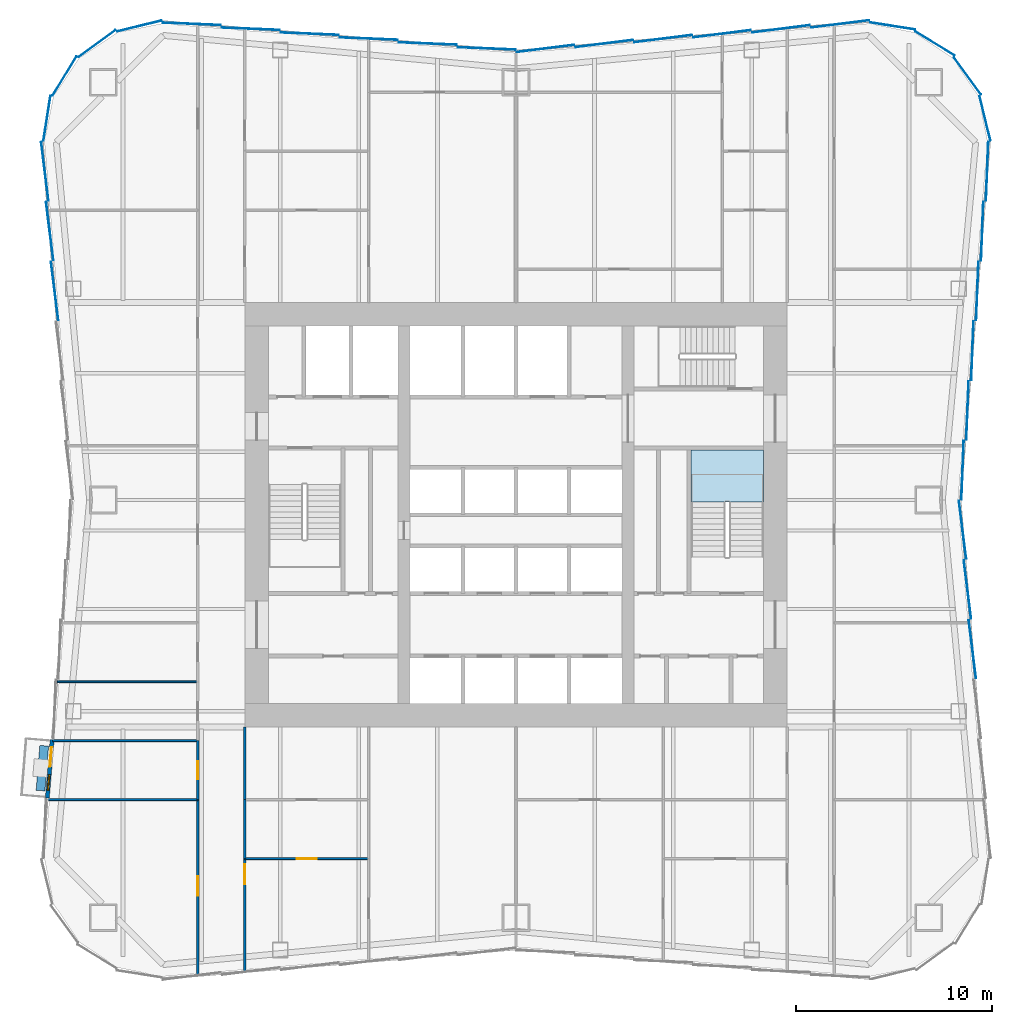
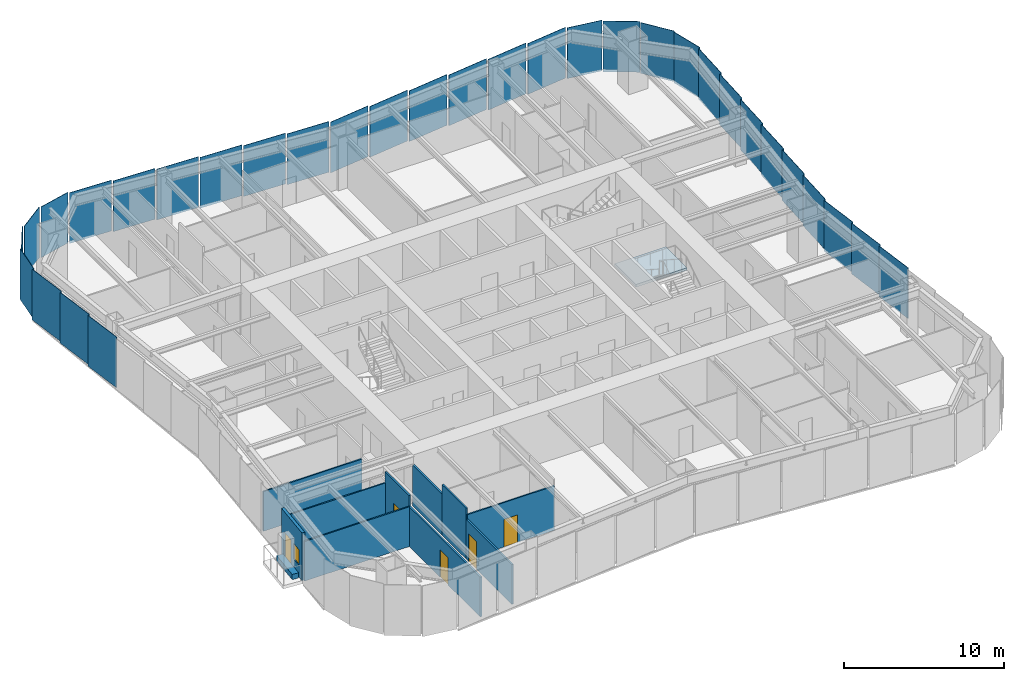
# One storey, part 3 of 9: 32 plates, 11 walls, 5 doors, 1 slab, 1 window, 6 openings, 6 elements without a shape of their own.
"""IFC4 building model written with IfcOpenShell, lengths in metres."""

from ifc_helpers import new_model, si_unit, direction, frame, frame_2d, origin, origin_2d, place, context, subcontext, project, spatial, polyline, rectangle, outline, extrude, material, layer, layer_set, type_object, element, fill, aggregate, save


model = new_model("IFC4")

# Units and contexts
model_context = context("Model", 3, precision=1e-05, world=origin(), true_north=direction((0.0, 1.0)))
body_context = subcontext(model_context, "Body", "Model", "MODEL_VIEW")
ifc_project = project(units=[si_unit("LENGTHUNIT", "METRE"), si_unit("AREAUNIT", "SQUARE_METRE"), si_unit("VOLUMEUNIT", "CUBIC_METRE"), si_unit("PLANEANGLEUNIT", "RADIAN"), si_unit("MASSUNIT", "GRAM", prefix="KILO")], contexts=[model_context])

# Site, building, storey
site_placement = place(None, origin())
site = spatial("IfcSite", under=ifc_project, at=site_placement, CompositionType="ELEMENT")
building_placement = place(site_placement, origin())
building = spatial("IfcBuilding", under=site, at=building_placement, Name="Verdant Reach Tower", CompositionType="ELEMENT")
storey_placement = place(building_placement, frame((0.0, 0.0, 102.0)))
storey = spatial("IfcBuildingStorey", under=building, at=storey_placement, Name="L23", CompositionType="ELEMENT", Elevation=102.0)

# Stair, slab
ifc_material_1 = material(Name="Concrete C40/50", Category="concrete")
stair_type = type_object("IfcStairType", Name="CO-STAIR", PredefinedType="HALF_TURN_STAIR", material=ifc_material_1)
stair_placement = place(storey_placement, origin())
stair = element("IfcStair", 1, at=stair_placement, inside=storey, type_object=stair_type, Name="L23 Exit stair 2", PredefinedType="HALF_TURN_STAIR")
ifc_layer_1 = layer(ifc_material_1, 0.199951171875)
ifc_layer_set_1 = layer_set([ifc_layer_1], Name="CO-STAIR-LANDING")
slab_type = type_object("IfcSlabType", Name="CO-STAIR-LANDING", PredefinedType="LANDING", material=ifc_layer_set_1)
slab_placement = place(storey_placement, frame((0.0, 0.0, 1.800048828125)))
slab = element("IfcSlab", 2, at=slab_placement, type_object=slab_type, Name="ST-2 landing 1", PredefinedType="LANDING", context=body_context, shape_type="SweptSolid", body=[
    extrude(outline(polyline([(12.60009765625, 28.64990234375), (12.60009765625, 31.300048828125), (8.89990234375, 31.300048828125), (8.89990234375, 28.64990234375), (12.60009765625, 28.64990234375)])), origin(), (0.0, 0.0, 1.0), 0.199951171875),
])
aggregate(stair, [slab])

# Curtain wall, plates
ifc_material_2 = material(Name="Anodised aluminium", Category="aluminium")
curtain_wall_type = type_object("IfcCurtainWallType", Name="EN-CW SYSTEM Z1", PredefinedType="NOTDEFINED", material=ifc_material_2)
curtain_wall_1_placement = place(storey_placement, origin())
curtain_wall_1 = element("IfcCurtainWall", 3, at=curtain_wall_1_placement, inside=storey, type_object=curtain_wall_type, Name="Curtain wall east, L23", PredefinedType="NOTDEFINED")
ifc_material_3 = material(Name="Tinted glass with champagne spandrel", Category="glass")
ifc_layer_2 = layer(ifc_material_3, 0.031982421875)
ifc_layer_set_2 = layer_set([ifc_layer_2], Name="EN-PANEL CHAMPAGNE")
plate_type_1 = type_object("IfcPlateType", Name="EN-PANEL CHAMPAGNE", PredefinedType="CURTAIN_PANEL", material=ifc_layer_set_2)
plate_1_placement = place(storey_placement, frame((23.2275390625, 21.154296875, -0.22802734375), z_axis=(0.0, 0.0, 1.0), x_axis=(-0.123578623975, 0.992334784081, 0.0)))
plate_1 = element("IfcPlate", 4, at=plate_1_placement, type_object=plate_type_1, Name="Glass panel east face part 1 4.1, L23", PredefinedType="CURTAIN_PANEL", context=body_context, shape_type="SweptSolid", body=[
    extrude(rectangle(XDim=2.993896484375, YDim=0.031982421875, at=origin_2d()), origin(), (0.0, 0.0, 1.0), 3.8779296875),
])
plate_2_placement = place(storey_placement, frame((22.9775390625, 24.196044921875, -0.22802734375), z_axis=(0.0, 0.0, 1.0), x_axis=(-0.123578623975, 0.992334784081, 0.0)))
plate_2 = element("IfcPlate", 5, at=plate_2_placement, type_object=plate_type_1, Name="Glass panel east face part 1 5.1, L23", PredefinedType="CURTAIN_PANEL", context=body_context, shape_type="SweptSolid", body=[
    extrude(rectangle(XDim=2.993896484375, YDim=0.031982421875, at=origin_2d()), origin(), (0.0, 0.0, 1.0), 3.8779296875),
])
plate_3_placement = place(storey_placement, frame((23.7275390625, 42.428955078125, -0.22802734375), z_axis=(0.0, 0.0, 1.0), x_axis=(0.040108781752, 0.999195319057, 0.0)))
plate_3 = element("IfcPlate", 6, at=plate_3_placement, type_object=plate_type_1, Name="Glass panel east face part 2 5.1, L23", PredefinedType="CURTAIN_PANEL", context=body_context, shape_type="SweptSolid", body=[
    extrude(rectangle(XDim=2.993896484375, YDim=0.031982421875, at=origin_2d()), origin(), (0.0, 0.0, 1.0), 3.8779296875),
])
plate_4_placement = place(storey_placement, frame((23.977783203125, 45.477783203125, -0.22802734375), z_axis=(0.0, 0.0, 1.0), x_axis=(0.039784239139, 0.999208293759, 0.0)))
plate_4 = element("IfcPlate", 7, at=plate_4_placement, type_object=plate_type_1, Name="Glass panel east face part 2 6.1, L23", PredefinedType="CURTAIN_PANEL", context=body_context, shape_type="SweptSolid", body=[
    extrude(rectangle(XDim=3.00830078125, YDim=0.031982421875, at=origin_2d()), origin(), (0.0, 0.0, 1.0), 3.8779296875),
])

# Curtain wall, plate
curtain_wall_2_placement = place(storey_placement, origin())
curtain_wall_2 = element("IfcCurtainWall", 8, at=curtain_wall_2_placement, inside=storey, type_object=curtain_wall_type, Name="Curtain wall north-east corner, L23", PredefinedType="NOTDEFINED")
plate_5_placement = place(storey_placement, frame((19.170654296875, 52.87060546875, -0.22802734375), z_axis=(0.0, 0.0, 1.0), x_axis=(-0.988032704995, 0.154244526195, 0.0)))
plate_5 = element("IfcPlate", 9, at=plate_5_placement, type_object=plate_type_1, Name="Glass panel north-east corner 4.1, L23", PredefinedType="CURTAIN_PANEL", context=body_context, shape_type="SweptSolid", body=[
    extrude(rectangle(XDim=2.317626953125, YDim=0.031982421875, at=origin_2d()), origin(), (0.0, 0.0, 1.0), 3.8779296875),
])

# Curtain wall, plates
curtain_wall_3_placement = place(storey_placement, origin())
curtain_wall_3 = element("IfcCurtainWall", 10, at=curtain_wall_3_placement, inside=storey, type_object=curtain_wall_type, Name="Curtain wall north, L23", PredefinedType="NOTDEFINED")
plate_6_placement = place(storey_placement, frame((13.491455078125, 52.7275390625, -0.22802734375), z_axis=(0.0, 0.0, 1.0), x_axis=(-0.992194034542, -0.124703639961, 0.0)))
plate_6 = element("IfcPlate", 11, at=plate_6_placement, type_object=plate_type_1, Name="Glass panel north face part 1 2.1, L23", PredefinedType="CURTAIN_PANEL", context=body_context, shape_type="SweptSolid", body=[
    extrude(rectangle(XDim=2.952392578125, YDim=0.031982421875, at=origin_2d()), origin(), (0.0, 0.0, 1.0), 3.8779296875),
])
plate_7_placement = place(storey_placement, frame((10.491455078125, 52.4775390625, -0.22802734375), z_axis=(0.0, 0.0, 1.0), x_axis=(-0.992194034542, -0.124703639961, 0.0)))
plate_7 = element("IfcPlate", 12, at=plate_7_placement, type_object=plate_type_1, Name="Glass panel north face part 1 3.1, L23", PredefinedType="CURTAIN_PANEL", context=body_context, shape_type="SweptSolid", body=[
    extrude(rectangle(XDim=2.952392578125, YDim=0.031982421875, at=origin_2d()), origin(), (0.0, 0.0, 1.0), 3.8779296875),
])
plate_8_placement = place(storey_placement, frame((7.491455078125, 52.2275390625, -0.22802734375), z_axis=(0.0, 0.0, 1.0), x_axis=(-0.992194034542, -0.124703639961, 0.0)))
plate_8 = element("IfcPlate", 13, at=plate_8_placement, type_object=plate_type_1, Name="Glass panel north face part 1 4.1, L23", PredefinedType="CURTAIN_PANEL", context=body_context, shape_type="SweptSolid", body=[
    extrude(rectangle(XDim=2.952392578125, YDim=0.031982421875, at=origin_2d()), origin(), (0.0, 0.0, 1.0), 3.8779296875),
])
plate_9_placement = place(storey_placement, frame((-10.491455078125, 52.4775390625, -0.22802734375), z_axis=(0.0, 0.0, 1.0), x_axis=(-0.999149202059, 0.041241629766, 0.0)))
plate_9 = element("IfcPlate", 14, at=plate_9_placement, type_object=plate_type_1, Name="Glass panel north face part 2 4.1, L23", PredefinedType="CURTAIN_PANEL", context=body_context, shape_type="SweptSolid", body=[
    extrude(rectangle(XDim=2.952392578125, YDim=0.031982421875, at=origin_2d()), origin(), (0.0, 0.0, 1.0), 3.8779296875),
])
plate_10_placement = place(storey_placement, frame((-13.491455078125, 52.7275390625, -0.22802734375), z_axis=(0.0, 0.0, 1.0), x_axis=(-0.999149202059, 0.041241629766, 0.0)))
plate_10 = element("IfcPlate", 15, at=plate_10_placement, type_object=plate_type_1, Name="Glass panel north face part 2 5.1, L23", PredefinedType="CURTAIN_PANEL", context=body_context, shape_type="SweptSolid", body=[
    extrude(rectangle(XDim=2.952392578125, YDim=0.031982421875, at=origin_2d()), origin(), (0.0, 0.0, 1.0), 3.8779296875),
])

curtain_wall_4_placement = place(storey_placement, origin())
curtain_wall_4 = element("IfcCurtainWall", 16, at=curtain_wall_4_placement, inside=storey, type_object=curtain_wall_type, Name="Curtain wall north-west corner, L23", PredefinedType="NOTDEFINED")
plate_11_placement = place(storey_placement, frame((-21.325439453125, 51.97705078125, -0.22802734375), z_axis=(0.0, 0.0, 1.0), x_axis=(-0.807456753161, -0.589926768145, 0.0)))
plate_11 = element("IfcPlate", 17, at=plate_11_placement, type_object=plate_type_1, Name="Glass panel north-west corner 2.1, L23", PredefinedType="CURTAIN_PANEL", context=body_context, shape_type="SweptSolid", body=[
    extrude(rectangle(XDim=2.3232421875, YDim=0.031982421875, at=origin_2d()), origin(), (0.0, 0.0, 1.0), 3.8779296875),
])
plate_12_placement = place(storey_placement, frame((-22.97705078125, 50.325439453125, -0.22802734375), z_axis=(0.0, 0.0, 1.0), x_axis=(-0.520291572248, -0.85398868836, 0.0)))
plate_12 = element("IfcPlate", 18, at=plate_12_placement, type_object=plate_type_1, Name="Glass panel north-west corner 3.1, L23", PredefinedType="CURTAIN_PANEL", context=body_context, shape_type="SweptSolid", body=[
    extrude(rectangle(XDim=2.3232421875, YDim=0.031982421875, at=origin_2d()), origin(), (0.0, 0.0, 1.0), 3.8779296875),
])
plate_13_placement = place(storey_placement, frame((-23.87060546875, 48.170654296875, -0.22802734375), z_axis=(0.0, 0.0, 1.0), x_axis=(-0.154247912016, -0.988032176419, 0.0)))
plate_13 = element("IfcPlate", 19, at=plate_13_placement, type_object=plate_type_1, Name="Glass panel north-west corner 4.1, L23", PredefinedType="CURTAIN_PANEL", context=body_context, shape_type="SweptSolid", body=[
    extrude(rectangle(XDim=2.3173828125, YDim=0.031982421875, at=origin_2d()), origin(), (0.0, 0.0, 1.0), 3.8779296875),
])

curtain_wall_5_placement = place(storey_placement, origin())
curtain_wall_5 = element("IfcCurtainWall", 20, at=curtain_wall_5_placement, inside=storey, type_object=curtain_wall_type, Name="Curtain wall west, L23", PredefinedType="NOTDEFINED")
plate_14_placement = place(storey_placement, frame((-23.977783203125, 45.477783203125, -0.22802734375), z_axis=(0.0, 0.0, 1.0), x_axis=(0.123256305275, -0.992374870304, 0.0)))
plate_14 = element("IfcPlate", 21, at=plate_14_placement, type_object=plate_type_1, Name="Glass panel west face part 1 1.1, L23", PredefinedType="CURTAIN_PANEL", context=body_context, shape_type="SweptSolid", body=[
    extrude(rectangle(XDim=3.00830078125, YDim=0.031982421875, at=origin_2d()), origin(), (0.0, 0.0, 1.0), 3.8779296875),
])
plate_15_placement = place(storey_placement, frame((-23.7275390625, 42.428955078125, -0.22802734375), z_axis=(0.0, 0.0, 1.0), x_axis=(0.123578623975, -0.992334784081, 0.0)))
plate_15 = element("IfcPlate", 22, at=plate_15_placement, type_object=plate_type_1, Name="Glass panel west face part 1 2.1, L23", PredefinedType="CURTAIN_PANEL", context=body_context, shape_type="SweptSolid", body=[
    extrude(rectangle(XDim=2.993896484375, YDim=0.031982421875, at=origin_2d()), origin(), (0.0, 0.0, 1.0), 3.8779296875),
])

# Plate
ifc_material_4 = material(Name="Tinted glass with copper spandrel", Category="glass")
ifc_layer_3 = layer(ifc_material_4, 0.031982421875)
ifc_layer_set_3 = layer_set([ifc_layer_3], Name="EN-PANEL COPPER")
plate_type_2 = type_object("IfcPlateType", Name="EN-PANEL COPPER", PredefinedType="CURTAIN_PANEL", material=ifc_layer_set_3)
plate_16_placement = place(storey_placement, frame((22.727783203125, 27.2333984375, -0.22802734375), z_axis=(0.0, 0.0, 1.0), x_axis=(-0.123691487663, 0.992320722287, 0.0)))
plate_16 = element("IfcPlate", 23, at=plate_16_placement, type_object=plate_type_2, Name="Glass panel east face part 1 6.1, L23", PredefinedType="CURTAIN_PANEL", context=body_context, shape_type="SweptSolid", body=[
    extrude(rectangle(XDim=2.985595703125, YDim=0.031982421875, at=origin_2d()), origin(), (0.0, 0.0, 1.0), 3.8779296875),
])

plate_17_placement = place(storey_placement, frame((22.727783203125, 30.2666015625, -0.22802734375), z_axis=(0.0, 0.0, 1.0), x_axis=(0.040222426271, 0.99919075077, 0.0)))
plate_17 = element("IfcPlate", 24, at=plate_17_placement, type_object=plate_type_2, Name="Glass panel east face part 2 1.1, L23", PredefinedType="CURTAIN_PANEL", context=body_context, shape_type="SweptSolid", body=[
    extrude(rectangle(XDim=2.985595703125, YDim=0.031982421875, at=origin_2d()), origin(), (0.0, 0.0, 1.0), 3.8779296875),
])

plate_18_placement = place(storey_placement, frame((22.9775390625, 33.303955078125, -0.22802734375), z_axis=(0.0, 0.0, 1.0), x_axis=(0.040108781752, 0.999195319057, 0.0)))
plate_18 = element("IfcPlate", 25, at=plate_18_placement, type_object=plate_type_2, Name="Glass panel east face part 2 2.1, L23", PredefinedType="CURTAIN_PANEL", context=body_context, shape_type="SweptSolid", body=[
    extrude(rectangle(XDim=2.993896484375, YDim=0.031982421875, at=origin_2d()), origin(), (0.0, 0.0, 1.0), 3.8779296875),
])

plate_19_placement = place(storey_placement, frame((4.491455078125, 51.9775390625, -0.22802734375), z_axis=(0.0, 0.0, 1.0), x_axis=(-0.992194034542, -0.124703639961, 0.0)))
plate_19 = element("IfcPlate", 26, at=plate_19_placement, type_object=plate_type_2, Name="Glass panel north face part 1 5.1, L23", PredefinedType="CURTAIN_PANEL", context=body_context, shape_type="SweptSolid", body=[
    extrude(rectangle(XDim=2.952392578125, YDim=0.031982421875, at=origin_2d()), origin(), (0.0, 0.0, 1.0), 3.8779296875),
])

plate_20_placement = place(storey_placement, frame((1.49560546875, 51.727783203125, -0.22802734375), z_axis=(0.0, 0.0, 1.0), x_axis=(-0.992179247355, -0.124821236644, 0.0)))
plate_20 = element("IfcPlate", 27, at=plate_20_placement, type_object=plate_type_2, Name="Glass panel north face part 1 6.1, L23", PredefinedType="CURTAIN_PANEL", context=body_context, shape_type="SweptSolid", body=[
    extrude(rectangle(XDim=2.94384765625, YDim=0.031982421875, at=origin_2d()), origin(), (0.0, 0.0, 1.0), 3.8779296875),
])

plate_21_placement = place(storey_placement, frame((-16.49853515625, 52.977783203125, -0.22802734375), z_axis=(0.0, 0.0, 1.0), x_axis=(-0.999162836679, 0.040909971885, 0.0)))
plate_21 = element("IfcPlate", 28, at=plate_21_placement, type_object=plate_type_2, Name="Glass panel north face part 2 6.1, L23", PredefinedType="CURTAIN_PANEL", context=body_context, shape_type="SweptSolid", body=[
    extrude(rectangle(XDim=2.966796875, YDim=0.031982421875, at=origin_2d()), origin(), (0.0, 0.0, 1.0), 3.8779296875),
])

plate_22_placement = place(storey_placement, frame((-23.4775390625, 39.387451171875, -0.22802734375), z_axis=(0.0, 0.0, 1.0), x_axis=(0.123578623975, -0.992334784081, 0.0)))
plate_22 = element("IfcPlate", 29, at=plate_22_placement, type_object=plate_type_2, Name="Glass panel west face part 1 3.1, L23", PredefinedType="CURTAIN_PANEL", context=body_context, shape_type="SweptSolid", body=[
    extrude(rectangle(XDim=2.993896484375, YDim=0.031982421875, at=origin_2d()), origin(), (0.0, 0.0, 1.0), 3.8779296875),
])

aggregate(curtain_wall_5, [plate_14, plate_15, plate_22])

ifc_material_5 = material(Name="Tinted glass with dark bronze spandrel", Category="glass")
ifc_layer_4 = layer(ifc_material_5, 0.031982421875)
ifc_layer_set_4 = layer_set([ifc_layer_4], Name="EN-PANEL DARK")
plate_type_3 = type_object("IfcPlateType", Name="EN-PANEL DARK", PredefinedType="CURTAIN_PANEL", material=ifc_layer_set_4)
plate_23_placement = place(storey_placement, frame((23.2275390625, 36.345703125, -0.22802734375), z_axis=(0.0, 0.0, 1.0), x_axis=(0.040108781752, 0.999195319057, 0.0)))
plate_23 = element("IfcPlate", 30, at=plate_23_placement, type_object=plate_type_3, Name="Glass panel east face part 2 3.1, L23", PredefinedType="CURTAIN_PANEL", context=body_context, shape_type="SweptSolid", body=[
    extrude(rectangle(XDim=2.993896484375, YDim=0.031982421875, at=origin_2d()), origin(), (0.0, 0.0, 1.0), 3.8779296875),
])

plate_24_placement = place(storey_placement, frame((23.4775390625, 39.387451171875, -0.22802734375), z_axis=(0.0, 0.0, 1.0), x_axis=(0.040108781752, 0.999195319057, 0.0)))
plate_24 = element("IfcPlate", 31, at=plate_24_placement, type_object=plate_type_3, Name="Glass panel east face part 2 4.1, L23", PredefinedType="CURTAIN_PANEL", context=body_context, shape_type="SweptSolid", body=[
    extrude(rectangle(XDim=2.993896484375, YDim=0.031982421875, at=origin_2d()), origin(), (0.0, 0.0, 1.0), 3.8779296875),
])

aggregate(curtain_wall_1, [plate_1, plate_2, plate_16, plate_17, plate_18, plate_23, plate_24, plate_3, plate_4])

plate_25_placement = place(storey_placement, frame((23.87060546875, 48.170654296875, -0.22802734375), z_axis=(0.0, 0.0, 1.0), x_axis=(-0.236383344544, 0.971659875894, 0.0)))
plate_25 = element("IfcPlate", 32, at=plate_25_placement, type_object=plate_type_3, Name="Glass panel north-east corner 1.1, L23", PredefinedType="CURTAIN_PANEL", context=body_context, shape_type="SweptSolid", body=[
    extrude(rectangle(XDim=2.3173828125, YDim=0.031982421875, at=origin_2d()), origin(), (0.0, 0.0, 1.0), 3.8779296875),
])

plate_26_placement = place(storey_placement, frame((22.97705078125, 50.325439453125, -0.22802734375), z_axis=(0.0, 0.0, 1.0), x_axis=(-0.589926768145, 0.807456753161, 0.0)))
plate_26 = element("IfcPlate", 33, at=plate_26_placement, type_object=plate_type_3, Name="Glass panel north-east corner 2.1, L23", PredefinedType="CURTAIN_PANEL", context=body_context, shape_type="SweptSolid", body=[
    extrude(rectangle(XDim=2.3232421875, YDim=0.031982421875, at=origin_2d()), origin(), (0.0, 0.0, 1.0), 3.8779296875),
])

plate_27_placement = place(storey_placement, frame((21.325439453125, 51.97705078125, -0.22802734375), z_axis=(0.0, 0.0, 1.0), x_axis=(-0.85398868836, 0.520291572248, 0.0)))
plate_27 = element("IfcPlate", 34, at=plate_27_placement, type_object=plate_type_3, Name="Glass panel north-east corner 3.1, L23", PredefinedType="CURTAIN_PANEL", context=body_context, shape_type="SweptSolid", body=[
    extrude(rectangle(XDim=2.3232421875, YDim=0.031982421875, at=origin_2d()), origin(), (0.0, 0.0, 1.0), 3.8779296875),
])

aggregate(curtain_wall_2, [plate_25, plate_26, plate_27, plate_5])

plate_28_placement = place(storey_placement, frame((16.49853515625, 52.977783203125, -0.22802734375), z_axis=(0.0, 0.0, 1.0), x_axis=(-0.99223537376, -0.124374286167, 0.0)))
plate_28 = element("IfcPlate", 35, at=plate_28_placement, type_object=plate_type_3, Name="Glass panel north face part 1 1.1, L23", PredefinedType="CURTAIN_PANEL", context=body_context, shape_type="SweptSolid", body=[
    extrude(rectangle(XDim=2.966796875, YDim=0.031982421875, at=origin_2d()), origin(), (0.0, 0.0, 1.0), 3.8779296875),
])

plate_29_placement = place(storey_placement, frame((-1.49560546875, 51.727783203125, -0.22802734375), z_axis=(0.0, 0.0, 1.0), x_axis=(-0.99914430697, 0.041360051381, 0.0)))
plate_29 = element("IfcPlate", 36, at=plate_29_placement, type_object=plate_type_3, Name="Glass panel north face part 2 1.1, L23", PredefinedType="CURTAIN_PANEL", context=body_context, shape_type="SweptSolid", body=[
    extrude(rectangle(XDim=2.94384765625, YDim=0.031982421875, at=origin_2d()), origin(), (0.0, 0.0, 1.0), 3.8779296875),
])

plate_30_placement = place(storey_placement, frame((-4.491455078125, 51.9775390625, -0.22802734375), z_axis=(0.0, 0.0, 1.0), x_axis=(-0.999149202059, 0.041241629766, 0.0)))
plate_30 = element("IfcPlate", 37, at=plate_30_placement, type_object=plate_type_3, Name="Glass panel north face part 2 2.1, L23", PredefinedType="CURTAIN_PANEL", context=body_context, shape_type="SweptSolid", body=[
    extrude(rectangle(XDim=2.952392578125, YDim=0.031982421875, at=origin_2d()), origin(), (0.0, 0.0, 1.0), 3.8779296875),
])

plate_31_placement = place(storey_placement, frame((-7.491455078125, 52.2275390625, -0.22802734375), z_axis=(0.0, 0.0, 1.0), x_axis=(-0.999149202059, 0.041241629766, 0.0)))
plate_31 = element("IfcPlate", 38, at=plate_31_placement, type_object=plate_type_3, Name="Glass panel north face part 2 3.1, L23", PredefinedType="CURTAIN_PANEL", context=body_context, shape_type="SweptSolid", body=[
    extrude(rectangle(XDim=2.952392578125, YDim=0.031982421875, at=origin_2d()), origin(), (0.0, 0.0, 1.0), 3.8779296875),
])

aggregate(curtain_wall_3, [plate_28, plate_6, plate_7, plate_8, plate_19, plate_20, plate_29, plate_30, plate_31, plate_9, plate_10, plate_21])

plate_32_placement = place(storey_placement, frame((-19.170654296875, 52.87060546875, -0.22802734375), z_axis=(0.0, 0.0, 1.0), x_axis=(-0.971660685934, -0.236380014828, 0.0)))
plate_32 = element("IfcPlate", 39, at=plate_32_placement, type_object=plate_type_3, Name="Glass panel north-west corner 1.1, L23", PredefinedType="CURTAIN_PANEL", context=body_context, shape_type="SweptSolid", body=[
    extrude(rectangle(XDim=2.317626953125, YDim=0.031982421875, at=origin_2d()), origin(), (0.0, 0.0, 1.0), 3.8779296875),
])

aggregate(curtain_wall_4, [plate_32, plate_11, plate_12, plate_13])

# Wall, openings, door, window
ifc_material_6 = material(Name="Insulated bronze aluminium panel wall", Category="aluminium")
ifc_layer_5 = layer(ifc_material_6, 0.219970703125)
ifc_layer_set_5 = layer_set([ifc_layer_5], Name="EN-INFILL WALL")
wall_type_1 = type_object("IfcWallType", Name="EN-INFILL WALL", PredefinedType="SOLIDWALL", material=ifc_layer_set_5)
wall_1_placement = place(storey_placement, frame((-23.605224609375, 16.560791015625, 0.0), z_axis=(0.0, 0.0, 1.0), x_axis=(-0.081903334605, -0.996640278024, 0.0)))
wall_1 = element("IfcWall", 40, at=wall_1_placement, inside=storey, type_object=wall_type_1, Name="External infill wall, balcony bay 1, L23", PredefinedType="SOLIDWALL", context=body_context, shape_type="SweptSolid", body=[
    extrude(rectangle(XDim=2.98974609375, YDim=0.2060546875, at=frame_2d((1.494873046875, 0.0))), origin(), (0.0, 0.0, 1.0), 3.64990234375),
])
opening_1_placement = place(wall_1_placement, frame((0.396484375, 0.0, 0.0)))
opening_1 = element("IfcOpeningElement", 41, at=opening_1_placement, cuts=wall_1, Name="Opening BD1", PredefinedType="OPENING", context=body_context, shape_type="SweptSolid", body=[
    extrude(rectangle(XDim=1.0, YDim=2.10009765625, at=frame_2d((0.5, 1.050048828125))), frame((0.0, 0.113037109375, 0.0), z_axis=(0.0, -1.0, 0.0), x_axis=(1.0, 0.0, 0.0)), (0.0, 0.0, 1.0), 0.22607421875),
])
opening_2_placement = place(wall_1_placement, frame((1.793212890625, 0.0, 0.89990234375)))
opening_2 = element("IfcOpeningElement", 42, at=opening_2_placement, cuts=wall_1, Name="Opening BW1", PredefinedType="OPENING", context=body_context, shape_type="SweptSolid", body=[
    extrude(rectangle(XDim=0.800048828125, YDim=1.199951171875, at=frame_2d((0.39990234375, 0.60009765625))), frame((0.0, 0.113037109375, 0.0), z_axis=(0.0, -1.0, 0.0), x_axis=(1.0, 0.0, 0.0)), (0.0, 0.0, 1.0), 0.22607421875),
])
ifc_material_7 = material(Name="Aluminium framed glazed door", Category="aluminium")
door_type_1 = type_object("IfcDoorType", Name="EN-DOOR BALCONY", OperationType="NOTDEFINED", PredefinedType="DOOR", material=ifc_material_7)
door_1_placement = place(opening_1_placement, origin())
door_1 = element("IfcDoor", 43, at=door_1_placement, inside=storey, type_object=door_type_1, Name="Balcony door 1, L23", OperationType="SINGLE_SWING_LEFT", OverallHeight=2.10009765625, OverallWidth=1.0, PredefinedType="DOOR", context=body_context, shape_type="SweptSolid", body=[
    extrude(rectangle(XDim=1.0, YDim=2.10009765625, at=frame_2d((0.5, 1.050048828125))), frame((0.0, 0.02490234375, 0.0), z_axis=(0.0, -1.0, 0.0), x_axis=(1.0, 0.0, 0.0)), (0.0, 0.0, 1.0), 0.050048828125),
])
fill(opening_1, door_1)
ifc_material_8 = material(Name="Aluminium framed glazing", Category="aluminium")
window_type = type_object("IfcWindowType", Name="EN-WINDOW BALCONY", PartitioningType="SINGLE_PANEL", PredefinedType="WINDOW", material=ifc_material_8)
window_placement = place(opening_2_placement, origin())
window = element("IfcWindow", 44, at=window_placement, inside=storey, type_object=window_type, Name="Balcony window 1, L23", OverallHeight=1.199951171875, OverallWidth=0.800048828125, PartitioningType="SINGLE_PANEL", PredefinedType="WINDOW", context=body_context, shape_type="SweptSolid", body=[
    extrude(rectangle(XDim=0.800048828125, YDim=1.199951171875, at=frame_2d((0.39990234375, 0.60009765625))), frame((0.0, 0.030029296875, 0.0), z_axis=(0.0, -1.0, 0.0), x_axis=(1.0, 0.0, 0.0)), (0.0, 0.0, 1.0), 0.06005859375),
])
fill(opening_2, window)

# Walls
ifc_material_9 = material(Name="Precast concrete C30/37", Category="concrete")
ifc_layer_6 = layer(ifc_material_9, 0.449951171875)
ifc_layer_set_6 = layer_set([ifc_layer_6], Name="EN-PLANTER")
wall_type_2 = type_object("IfcWallType", Name="EN-PLANTER", PredefinedType="USERDEFINED", material=ifc_layer_set_6)
wall_2_placement = place(storey_placement, frame((-24.010498046875, 16.242919921875, 0.0), z_axis=(0.0, 0.0, 1.0), x_axis=(-0.081986639556, -0.996633428566, 0.0)))
element("IfcWall", 45, at=wall_2_placement, inside=storey, type_object=wall_type_2, Name="Balcony planter 1, L23", ObjectType="PLANTER", PredefinedType="USERDEFINED", context=body_context, shape_type="SweptSolid", body=[
    extrude(rectangle(XDim=2.2900390625, YDim=0.449951171875, at=frame_2d((1.14501953125, 0.0))), origin(), (0.0, 0.0, 1.0), 0.39990234375),
])
ifc_material_10 = material(Name="Gypsum board on steel studs", Category="steel")
ifc_layer_7 = layer(ifc_material_10, 0.10009765625)
ifc_layer_set_7 = layer_set([ifc_layer_7], Name="FL-W1 Partition 100")
wall_type_3 = type_object("IfcWallType", Name="FL-W1 Partition 100", PredefinedType="PARTITIONING", material=ifc_layer_set_7)
wall_3_placement = place(storey_placement, frame((-16.199951171875, 13.5, 0.0), z_axis=(0.0, 0.0, 1.0), x_axis=(-1.0, 0.0, 0.0)))
element("IfcWall", 46, at=wall_3_placement, inside=storey, type_object=wall_type_3, Name="Partition 23.25", PredefinedType="PARTITIONING", context=body_context, shape_type="SweptSolid", body=[
    extrude(rectangle(XDim=7.633544921875, YDim=0.10009765625, at=frame_2d((3.81689453125, 0.0))), origin(), (0.0, 0.0, 1.0), 3.0400390625),
])
wall_4_placement = place(storey_placement, frame((-16.199951171875, 16.5, 0.0), z_axis=(0.0, 0.0, 1.0), x_axis=(-1.0, 0.0, 0.0)))
element("IfcWall", 47, at=wall_4_placement, inside=storey, type_object=wall_type_3, Name="Partition 23.26", PredefinedType="PARTITIONING", context=body_context, shape_type="SweptSolid", body=[
    extrude(rectangle(XDim=7.386962890625, YDim=0.10009765625, at=frame_2d((3.693359375, 0.0))), origin(), (0.0, 0.0, 1.0), 3.0400390625),
])
wall_5_placement = place(storey_placement, frame((-16.199951171875, 19.5, 0.0), z_axis=(0.0, 0.0, 1.0), x_axis=(-1.0, 0.0, 0.0)))
element("IfcWall", 48, at=wall_5_placement, inside=storey, type_object=wall_type_3, Name="Partition 23.27", PredefinedType="PARTITIONING", context=body_context, shape_type="SweptSolid", body=[
    extrude(rectangle(XDim=7.140380859375, YDim=0.10009765625, at=frame_2d((3.5703125, 0.0))), origin(), (0.0, 0.0, 1.0), 3.0400390625),
])

# Wall, opening, door
wall_6_placement = place(storey_placement, frame((-13.800048828125, 10.5, 0.0), z_axis=(0.0, 0.0, 1.0), x_axis=(1.0, 0.0, 0.0)))
wall_6 = element("IfcWall", 49, at=wall_6_placement, inside=storey, type_object=wall_type_3, Name="Partition 23.35", PredefinedType="PARTITIONING", context=body_context, shape_type="SweptSolid", body=[
    extrude(rectangle(XDim=6.300048828125, YDim=0.10009765625, at=frame_2d((3.14990234375, 0.0))), origin(), (0.0, 0.0, 1.0), 3.389892578125),
])
opening_3_placement = place(wall_6_placement, frame((2.64990234375, 0.0, 0.0)))
opening_3 = element("IfcOpeningElement", 50, at=opening_3_placement, cuts=wall_6, Name="Opening D3", PredefinedType="OPENING", context=body_context, shape_type="SweptSolid", body=[
    extrude(rectangle(XDim=1.0, YDim=2.10009765625, at=frame_2d((0.5, 1.050048828125))), frame((0.0, 0.06005859375, 0.0), z_axis=(0.0, -1.0, 0.0), x_axis=(1.0, 0.0, 0.0)), (0.0, 0.0, 1.0), 0.1201171875),
])
ifc_material_11 = material(Name="Painted timber door leaf", Category="wood")
door_type_2 = type_object("IfcDoorType", Name="FL-D3 Door 1000x2100", OperationType="NOTDEFINED", PredefinedType="DOOR", material=ifc_material_11)
door_2_placement = place(opening_3_placement, origin())
door_2 = element("IfcDoor", 51, at=door_2_placement, inside=storey, type_object=door_type_2, Name="Door 23-019", OperationType="SINGLE_SWING_LEFT", OverallHeight=2.10009765625, OverallWidth=1.0, PredefinedType="DOOR", context=body_context, shape_type="SweptSolid", body=[
    extrude(rectangle(XDim=1.0, YDim=2.10009765625, at=frame_2d((0.5, 1.050048828125))), frame((0.0, 0.02490234375, 0.0), z_axis=(0.0, -1.0, 0.0), x_axis=(1.0, 0.0, 0.0)), (0.0, 0.0, 1.0), 0.050048828125),
])
fill(opening_3, door_2)

ifc_material_12 = material(Name="Gypsum board on steel studs, fire rated", Category="steel")
ifc_layer_8 = layer(ifc_material_12, 0.125)
ifc_layer_set_8 = layer_set([ifc_layer_8], Name="FL-W2 Corridor wall 125")
wall_type_4 = type_object("IfcWallType", Name="FL-W2 Corridor wall 125", PredefinedType="PARTITIONING", material=ifc_layer_set_8)
wall_7_placement = place(storey_placement, frame((-16.199951171875, 13.5, 0.0), z_axis=(0.0, 0.0, 1.0), x_axis=(0.0, -1.0, 0.0)))
wall_7 = element("IfcWall", 52, at=wall_7_placement, inside=storey, type_object=wall_type_4, Name="Partition 23.01", PredefinedType="PARTITIONING", context=body_context, shape_type="SweptSolid", body=[
    extrude(rectangle(XDim=8.929931640625, YDim=0.125, at=frame_2d((4.46484375, 0.0))), origin(), (0.0, 0.0, 1.0), 3.0400390625),
])
opening_4_placement = place(wall_7_placement, frame((3.89990234375, 0.0, 0.0)))
opening_4 = element("IfcOpeningElement", 53, at=opening_4_placement, cuts=wall_7, Name="Opening D2", PredefinedType="OPENING", context=body_context, shape_type="SweptSolid", body=[
    extrude(rectangle(XDim=1.0, YDim=2.10009765625, at=frame_2d((0.5, 1.050048828125))), frame((0.0, 0.072509765625, 0.0), z_axis=(0.0, -1.0, 0.0), x_axis=(1.0, 0.0, 0.0)), (0.0, 0.0, 1.0), 0.14501953125),
])
ifc_material_13 = material(Name="Timber door leaf, fire rated", Category="wood")
door_type_3 = type_object("IfcDoorType", Name="FL-D2 Entrance door 1000x2100 FD30", OperationType="NOTDEFINED", PredefinedType="DOOR", material=ifc_material_13)
door_3_placement = place(opening_4_placement, origin())
door_3 = element("IfcDoor", 54, at=door_3_placement, inside=storey, type_object=door_type_3, Name="Door 23-001", OperationType="SINGLE_SWING_LEFT", OverallHeight=2.10009765625, OverallWidth=1.0, PredefinedType="DOOR", context=body_context, shape_type="SweptSolid", body=[
    extrude(rectangle(XDim=1.0, YDim=2.10009765625, at=frame_2d((0.5, 1.050048828125))), frame((0.0, 0.02490234375, 0.0), z_axis=(0.0, -1.0, 0.0), x_axis=(1.0, 0.0, 0.0)), (0.0, 0.0, 1.0), 0.050048828125),
])
fill(opening_4, door_3)

wall_8_placement = place(storey_placement, frame((-16.199951171875, 13.5, 0.0), z_axis=(0.0, 0.0, 1.0), x_axis=(0.0, 1.0, 0.0)))
wall_8 = element("IfcWall", 55, at=wall_8_placement, inside=storey, type_object=wall_type_4, Name="Partition 23.02", PredefinedType="PARTITIONING", context=body_context, shape_type="SweptSolid", body=[
    extrude(rectangle(XDim=3.0, YDim=0.125, at=frame_2d((1.5, 0.0))), origin(), (0.0, 0.0, 1.0), 3.8701171875),
])
opening_5_placement = place(wall_8_placement, frame((1.050048828125, 0.0, 0.0)))
opening_5 = element("IfcOpeningElement", 56, at=opening_5_placement, cuts=wall_8, Name="Opening D1", PredefinedType="OPENING", context=body_context, shape_type="SweptSolid", body=[
    extrude(rectangle(XDim=0.89990234375, YDim=2.10009765625, at=frame_2d((0.449951171875, 1.050048828125))), frame((0.0, 0.072509765625, 0.0), z_axis=(0.0, -1.0, 0.0), x_axis=(1.0, 0.0, 0.0)), (0.0, 0.0, 1.0), 0.14501953125),
])
door_type_4 = type_object("IfcDoorType", Name="FL-D1 Door 900x2100", OperationType="NOTDEFINED", PredefinedType="DOOR", material=ifc_material_11)
door_4_placement = place(opening_5_placement, origin())
door_4 = element("IfcDoor", 57, at=door_4_placement, inside=storey, type_object=door_type_4, Name="Door 23-002", OperationType="SINGLE_SWING_RIGHT", OverallHeight=2.10009765625, OverallWidth=0.89990234375, PredefinedType="DOOR", context=body_context, shape_type="SweptSolid", body=[
    extrude(rectangle(XDim=0.89990234375, YDim=2.10009765625, at=frame_2d((0.449951171875, 1.050048828125))), frame((0.0, 0.02490234375, 0.0), z_axis=(0.0, -1.0, 0.0), x_axis=(1.0, 0.0, 0.0)), (0.0, 0.0, 1.0), 0.050048828125),
])
fill(opening_5, door_4)

wall_9_placement = place(storey_placement, frame((-13.800048828125, 10.5, 0.0), z_axis=(0.0, 0.0, 1.0), x_axis=(0.0, -1.0, 0.0)))
wall_9 = element("IfcWall", 58, at=wall_9_placement, inside=storey, type_object=wall_type_4, Name="Partition 23.08", PredefinedType="PARTITIONING", context=body_context, shape_type="SweptSolid", body=[
    extrude(rectangle(XDim=5.72998046875, YDim=0.125, at=frame_2d((2.864990234375, 0.0))), origin(), (0.0, 0.0, 1.0), 3.0400390625),
])
opening_6_placement = place(wall_9_placement, frame((0.2998046875, 0.0, 0.0)))
opening_6 = element("IfcOpeningElement", 59, at=opening_6_placement, cuts=wall_9, Name="Opening D2", PredefinedType="OPENING", context=body_context, shape_type="SweptSolid", body=[
    extrude(rectangle(XDim=1.0, YDim=2.10009765625, at=frame_2d((0.5, 1.050048828125))), frame((0.0, 0.072509765625, 0.0), z_axis=(0.0, -1.0, 0.0), x_axis=(1.0, 0.0, 0.0)), (0.0, 0.0, 1.0), 0.14501953125),
])
door_5_placement = place(opening_6_placement, origin())
door_5 = element("IfcDoor", 60, at=door_5_placement, inside=storey, type_object=door_type_3, Name="Door 23-008", OperationType="SINGLE_SWING_LEFT", OverallHeight=2.10009765625, OverallWidth=1.0, PredefinedType="DOOR", context=body_context, shape_type="SweptSolid", body=[
    extrude(rectangle(XDim=1.0, YDim=2.10009765625, at=frame_2d((0.5, 1.050048828125))), frame((0.0, 0.02490234375, 0.0), z_axis=(0.0, -1.0, 0.0), x_axis=(1.0, 0.0, 0.0)), (0.0, 0.0, 1.0), 0.050048828125),
])
fill(opening_6, door_5)

# Walls
wall_10_placement = place(storey_placement, frame((-13.800048828125, 10.5, 0.0), z_axis=(0.0, 0.0, 1.0), x_axis=(0.0, 1.0, 0.0)))
element("IfcWall", 61, at=wall_10_placement, inside=storey, type_object=wall_type_4, Name="Partition 23.09", PredefinedType="PARTITIONING", context=body_context, shape_type="SweptSolid", body=[
    extrude(rectangle(XDim=3.0, YDim=0.125, at=frame_2d((1.5, 0.0))), origin(), (0.0, 0.0, 1.0), 3.8701171875),
])
wall_11_placement = place(storey_placement, frame((-13.800048828125, 13.5, 0.0), z_axis=(0.0, 0.0, 1.0), x_axis=(0.0, 1.0, 0.0)))
element("IfcWall", 62, at=wall_11_placement, inside=storey, type_object=wall_type_4, Name="Partition 23.10", PredefinedType="PARTITIONING", context=body_context, shape_type="SweptSolid", body=[
    extrude(rectangle(XDim=3.699951171875, YDim=0.125, at=frame_2d((1.85009765625, 0.0))), origin(), (0.0, 0.0, 1.0), 3.139892578125),
])

save(model, "model.ifc")
